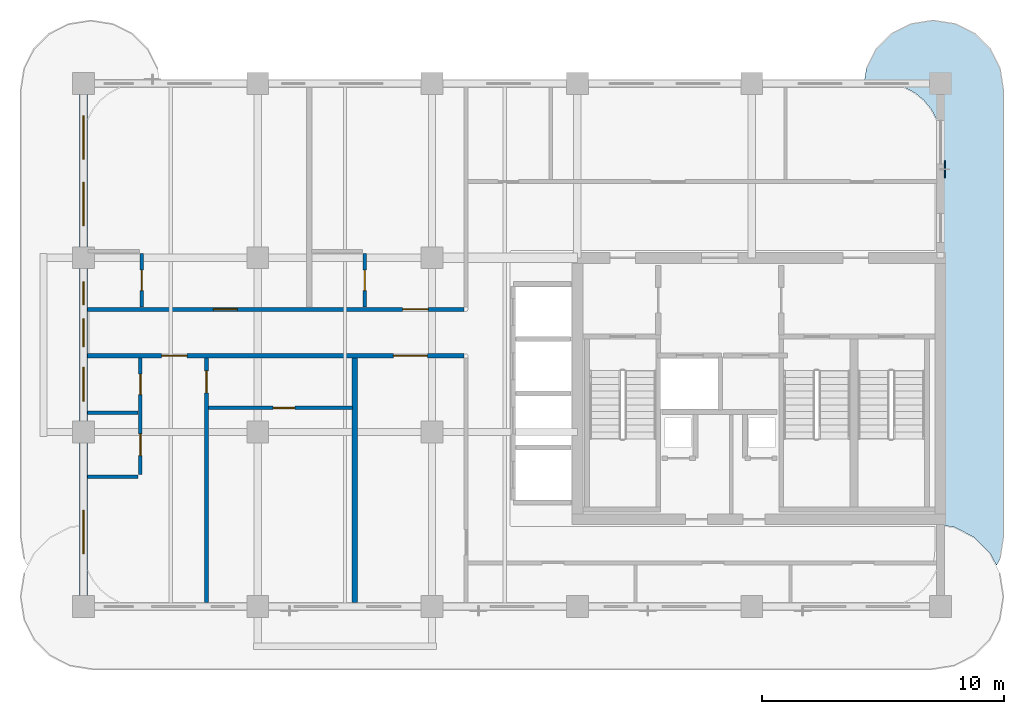
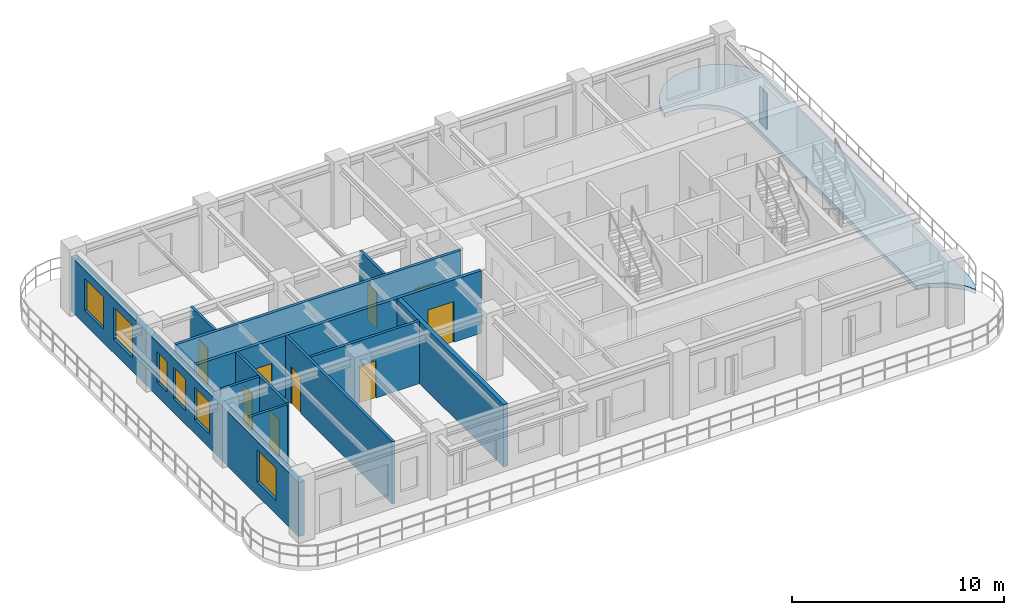
# One storey, part 2 of 7: 11 walls, 10 doors, 6 windows, 1 plate, 1 slab, 16 openings.
"""IFC4 building model written with IfcOpenShell, lengths in metres."""

from ifc_helpers import new_model, si_unit, derived_unit, direction, frame, frame_2d, origin, origin_2d, place, context, subcontext, project, spatial, polyline, rectangle, outline, extrude, source, transform, mapped, material, layer, layer_set, type_object, type_shapes, element, fill, save


model = new_model("IFC4")

# Units and contexts
model_context = context("Model", 3, precision=1e-05, world=origin(), true_north=direction((0.0, 1.0)))
body_context = subcontext(model_context, "Body", "Model", "MODEL_VIEW")
ifc_project = project(units=[si_unit("LENGTHUNIT", "METRE"), si_unit("AREAUNIT", "SQUARE_METRE"), si_unit("VOLUMEUNIT", "CUBIC_METRE"), si_unit("PLANEANGLEUNIT", "RADIAN"), si_unit("MASSUNIT", "GRAM", prefix="KILO"), si_unit("THERMODYNAMICTEMPERATUREUNIT", "KELVIN"), si_unit("POWERUNIT", "WATT"), derived_unit("THERMALTRANSMITTANCEUNIT", [(si_unit("POWERUNIT", "WATT"), 1), (si_unit("AREAUNIT", "SQUARE_METRE"), -1), (si_unit("THERMODYNAMICTEMPERATUREUNIT", "KELVIN"), -1)])], contexts=[model_context])

# Site, building, storey
site_placement = place(None, origin())
site = spatial("IfcSite", under=ifc_project, at=site_placement, CompositionType="ELEMENT")
building_placement = place(site_placement, origin())
building = spatial("IfcBuilding", under=site, at=building_placement, Name="Zahravan Archway Hotel and Residences", CompositionType="ELEMENT")
storey_placement = place(building_placement, frame((0.0, 0.0, 240.39990234375)))
storey = spatial("IfcBuildingStorey", under=building, at=storey_placement, Name="L60", CompositionType="ELEMENT", Elevation=240.39990234375)

# Slab
ifc_material_1 = material(Name="Concrete C45/55", Category="concrete")
ifc_layer_1 = layer(ifc_material_1, 0.25, Name="Concrete C45/55", Category="concrete")
ifc_layer_set_1 = layer_set([ifc_layer_1], Name="Concrete C45/55")
slab_type = type_object("IfcSlabType", Name="SLB-BALC-250", PredefinedType="FLOOR", material=ifc_layer_set_1)
slab_placement = place(storey_placement, frame((0.0, 0.0, -0.25)))
element("IfcSlab", 1, at=slab_placement, inside=storey, type_object=slab_type, Name="L60 Wing A East Rounded Balcony Band", PredefinedType="FLOOR", context=body_context, shape_type="SweptSolid", body=[
    extrude(outline(polyline([(46.739501953125, 22.230712890625), (47.144287109375, 23.025146484375), (47.77490234375, 23.65576171875), (48.5693359375, 24.060546875), (49.449951171875, 24.199951171875), (49.550048828125, 24.199951171875), (50.4306640625, 24.060546875), (51.22509765625, 23.65576171875), (51.855712890625, 23.025146484375), (52.260498046875, 22.230712890625), (52.39990234375, 21.35009765625), (52.39990234375, 2.85009765625), (52.260498046875, 1.96923828125), (52.114501953125, 1.6826171875), (51.8544921875, 2.193115234375), (51.853515625, 2.19482421875), (51.85205078125, 2.196533203125), (51.8505859375, 2.197998046875), (51.197998046875, 2.8505859375), (51.196533203125, 2.85205078125), (51.19482421875, 2.853515625), (51.193115234375, 2.8544921875), (50.37060546875, 3.2734375), (50.368896484375, 3.2744140625), (50.36669921875, 3.27490234375), (50.36474609375, 3.275390625), (49.822998046875, 3.361083984375), (49.8212890625, 3.361328125), (49.820068359375, 3.361328125), (49.820068359375, 19.199951171875), (49.81982421875, 19.201904296875), (49.773681640625, 19.670166015625), (49.7734375, 19.672119140625), (49.77294921875, 19.674072265625), (49.636474609375, 20.124267578125), (49.6357421875, 20.126220703125), (49.635009765625, 20.127685546875), (49.4130859375, 20.542724609375), (49.412109375, 20.54443359375), (49.410888671875, 20.546142578125), (49.112548828125, 20.909912109375), (49.111083984375, 20.9111328125), (49.10986328125, 20.91259765625), (48.74609375, 21.2109375), (48.744384765625, 21.212158203125), (48.742919921875, 21.213134765625), (48.327880859375, 21.434814453125), (48.326171875, 21.435791015625), (48.32421875, 21.436279296875), (47.8740234375, 21.572998046875), (47.8720703125, 21.573486328125), (47.8701171875, 21.57373046875), (47.402099609375, 21.619873046875), (47.39990234375, 21.6201171875), (46.642822265625, 21.6201171875), (46.739501953125, 22.230712890625)])), origin(), (0.0, 0.0, 1.0), 0.25),
])

# Plate
ifc_material_2 = material(Name="Perforated Cast Bronze Jali Lattice")
ifc_layer_2 = layer(ifc_material_2, 0.044921875, Name="Perforated Cast Bronze Jali Lattice")
ifc_layer_set_2 = layer_set([ifc_layer_2], Name="Perforated Cast Bronze Jali Lattice")
plate_type = type_object("IfcPlateType", Name="PLT-JALI-BAY", PredefinedType="USERDEFINED", material=ifc_layer_set_2)
shared_shape_1 = source(origin(), body_context, "Body", "SweptSolid", [
    extrude(rectangle(XDim=0.699951171875, YDim=0.044921875, at=origin_2d()), origin(), (0.0, 0.0, 1.0), 2.10009765625),
])
type_shapes(plate_type, [shared_shape_1])
plate_placement = place(storey_placement, frame((49.97802734375, 18.05908203125, 0.25), z_axis=(0.0, 0.0, 1.0), x_axis=(0.0, 1.0, 0.0)))
element("IfcPlate", 2, at=plate_placement, inside=storey, type_object=plate_type, Name="L60 Perforated Bronze Jali Pier Screen 05", ObjectType="SCREEN", PredefinedType="USERDEFINED", context=body_context, shape_type="MappedRepresentation", body=[
    mapped(shared_shape_1, transform((0.0, 0.0, 0.0), scale=1.0)),
])

# Wall, openings, windows
ifc_material_3 = material(Name="Agra Buff Sandstone & Insulated Backup", Category="masonry")
ifc_layer_3 = layer(ifc_material_3, 0.320068359375, Name="Agra Buff Sandstone & Insulated Backup", Category="masonry")
ifc_layer_set_3 = layer_set([ifc_layer_3], Name="Agra Buff Sandstone & Insulated Backup")
wall_type_1 = type_object("IfcWallType", Name="EW-SAND-320", PredefinedType="SOLIDWALL", material=ifc_layer_set_3)
wall_1_placement = place(storey_placement, frame((14.39990234375, 0.050048828125, 0.0), z_axis=(0.0, 0.0, 1.0), x_axis=(0.0, 1.0, 0.0)))
wall_1 = element("IfcWall", 3, at=wall_1_placement, inside=storey, type_object=wall_type_1, Name="L60 Exterior Sandstone Wall WA-W", PredefinedType="SOLIDWALL", context=body_context, shape_type="SweptSolid", body=[
    extrude(rectangle(XDim=21.5, YDim=0.320068359375, at=frame_2d((10.75, 0.0))), origin(), (0.0, 0.0, 1.0), 3.135009765625),
])
opening_1_placement = place(wall_1_placement, frame((2.12109375, 0.0, 0.800048828125)))
opening_1 = element("IfcOpeningElement", 4, at=opening_1_placement, cuts=wall_1, Name="Opening W-02", PredefinedType="OPENING", context=body_context, shape_type="SweptSolid", body=[
    extrude(rectangle(XDim=1.800048828125, YDim=1.85009765625, at=frame_2d((0.89990234375, 0.925048828125))), frame((0.0, 0.169921875, 0.0), z_axis=(0.0, -1.0, 0.0), x_axis=(1.0, 0.0, 0.0)), (0.0, 0.0, 1.0), 0.340087890625),
])
opening_2_placement = place(wall_1_placement, frame((8.425048828125, 0.0, 0.800048828125)))
opening_2 = element("IfcOpeningElement", 5, at=opening_2_placement, cuts=wall_1, Name="Opening W-03", PredefinedType="OPENING", context=body_context, shape_type="SweptSolid", body=[
    extrude(rectangle(XDim=1.39990234375, YDim=1.85009765625, at=frame_2d((0.699951171875, 0.925048828125))), frame((0.0, 0.169921875, 0.0), z_axis=(0.0, -1.0, 0.0), x_axis=(1.0, 0.0, 0.0)), (0.0, 0.0, 1.0), 0.340087890625),
])
opening_3_placement = place(wall_1_placement, frame((10.68505859375, 0.0, 0.800048828125)))
opening_3 = element("IfcOpeningElement", 6, at=opening_3_placement, cuts=wall_1, Name="Opening W-05", PredefinedType="OPENING", context=body_context, shape_type="SweptSolid", body=[
    extrude(rectangle(XDim=1.14990234375, YDim=1.800048828125, at=frame_2d((0.574951171875, 0.89990234375))), frame((0.0, 0.169921875, 0.0), z_axis=(0.0, -1.0, 0.0), x_axis=(1.0, 0.0, 0.0)), (0.0, 0.0, 1.0), 0.340087890625),
])
opening_4_placement = place(wall_1_placement, frame((12.4140625, 0.0, 0.800048828125)))
opening_4 = element("IfcOpeningElement", 7, at=opening_4_placement, cuts=wall_1, Name="Opening W-04", PredefinedType="OPENING", context=body_context, shape_type="SweptSolid", body=[
    extrude(rectangle(XDim=0.949951171875, YDim=1.75, at=frame_2d((0.47509765625, 0.875))), frame((0.0, 0.169921875, 0.0), z_axis=(0.0, -1.0, 0.0), x_axis=(1.0, 0.0, 0.0)), (0.0, 0.0, 1.0), 0.340087890625),
])
opening_5_placement = place(wall_1_placement, frame((15.675048828125, 0.0, 0.800048828125)))
opening_5 = element("IfcOpeningElement", 8, at=opening_5_placement, cuts=wall_1, Name="Opening W-02", PredefinedType="OPENING", context=body_context, shape_type="SweptSolid", body=[
    extrude(rectangle(XDim=1.800048828125, YDim=1.85009765625, at=frame_2d((0.89990234375, 0.925048828125))), frame((0.0, 0.169921875, 0.0), z_axis=(0.0, -1.0, 0.0), x_axis=(1.0, 0.0, 0.0)), (0.0, 0.0, 1.0), 0.340087890625),
])
opening_6_placement = place(wall_1_placement, frame((18.425048828125, 0.0, 0.800048828125)))
opening_6 = element("IfcOpeningElement", 9, at=opening_6_placement, cuts=wall_1, Name="Opening W-02", PredefinedType="OPENING", context=body_context, shape_type="SweptSolid", body=[
    extrude(rectangle(XDim=1.800048828125, YDim=1.85009765625, at=frame_2d((0.89990234375, 0.925048828125))), frame((0.0, 0.169921875, 0.0), z_axis=(0.0, -1.0, 0.0), x_axis=(1.0, 0.0, 0.0)), (0.0, 0.0, 1.0), 0.340087890625),
])
ifc_material_4 = material(Name="Bronze-Anodized Thermal-Break Aluminium & Low-E Glass", Category="aluminium")
window_type_1 = type_object("IfcWindowType", Name="WIN-TWR-1400", PartitioningType="SINGLE_PANEL", PredefinedType="WINDOW", material=ifc_material_4)
shared_shape_2 = source(origin(), body_context, "Body", "SweptSolid", [
    extrude(rectangle(XDim=1.39990234375, YDim=1.85009765625, at=frame_2d((0.699951171875, 0.925048828125))), frame((0.0, 0.030029296875, 0.0), z_axis=(0.0, -1.0, 0.0), x_axis=(1.0, 0.0, 0.0)), (0.0, 0.0, 1.0), 0.06005859375),
])
type_shapes(window_type_1, [shared_shape_2])
window_1_placement = place(opening_2_placement, origin())
window_1 = element("IfcWindow", 10, at=window_1_placement, inside=storey, type_object=window_type_1, Name="L60 Loggia Window 20", OverallHeight=1.85009765625, OverallWidth=1.39990234375, PartitioningType="SINGLE_PANEL", PredefinedType="WINDOW", context=body_context, shape_type="MappedRepresentation", body=[
    mapped(shared_shape_2, transform((0.0, 0.0, 0.0), scale=1.0)),
])
fill(opening_2, window_1)
window_type_2 = type_object("IfcWindowType", Name="WIN-NAR-950", PartitioningType="SINGLE_PANEL", PredefinedType="WINDOW", material=ifc_material_4)
shared_shape_3 = source(origin(), body_context, "Body", "SweptSolid", [
    extrude(rectangle(XDim=0.949951171875, YDim=1.75, at=frame_2d((0.47509765625, 0.875))), frame((0.0, 0.030029296875, 0.0), z_axis=(0.0, -1.0, 0.0), x_axis=(1.0, 0.0, 0.0)), (0.0, 0.0, 1.0), 0.06005859375),
])
type_shapes(window_type_2, [shared_shape_3])
window_2_placement = place(opening_4_placement, origin())
window_2 = element("IfcWindow", 11, at=window_2_placement, inside=storey, type_object=window_type_2, Name="L60 Loggia Window 22", OverallHeight=1.75, OverallWidth=0.949951171875, PartitioningType="SINGLE_PANEL", PredefinedType="WINDOW", context=body_context, shape_type="MappedRepresentation", body=[
    mapped(shared_shape_3, transform((0.0, 0.0, 0.0), scale=1.0)),
])
fill(opening_4, window_2)
window_type_3 = type_object("IfcWindowType", Name="WIN-TWR-1800", PartitioningType="DOUBLE_PANEL_VERTICAL", PredefinedType="WINDOW", material=ifc_material_4)
shared_shape_4 = source(origin(), body_context, "Body", "SweptSolid", [
    extrude(rectangle(XDim=1.800048828125, YDim=1.85009765625, at=frame_2d((0.89990234375, 0.925048828125))), frame((0.0, 0.030029296875, 0.0), z_axis=(0.0, -1.0, 0.0), x_axis=(1.0, 0.0, 0.0)), (0.0, 0.0, 1.0), 0.06005859375),
])
type_shapes(window_type_3, [shared_shape_4])
window_3_placement = place(opening_1_placement, origin())
window_3 = element("IfcWindow", 12, at=window_3_placement, inside=storey, type_object=window_type_3, Name="L60 Loggia Window 19", OverallHeight=1.85009765625, OverallWidth=1.800048828125, PartitioningType="DOUBLE_PANEL_VERTICAL", PredefinedType="WINDOW", context=body_context, shape_type="MappedRepresentation", body=[
    mapped(shared_shape_4, transform((0.0, 0.0, 0.0), scale=1.0)),
])
fill(opening_1, window_3)
window_4_placement = place(opening_5_placement, origin())
window_4 = element("IfcWindow", 13, at=window_4_placement, inside=storey, type_object=window_type_3, Name="L60 Loggia Window 23", OverallHeight=1.85009765625, OverallWidth=1.800048828125, PartitioningType="DOUBLE_PANEL_VERTICAL", PredefinedType="WINDOW", context=body_context, shape_type="MappedRepresentation", body=[
    mapped(shared_shape_4, transform((0.0, 0.0, 0.0), scale=1.0)),
])
fill(opening_5, window_4)
window_5_placement = place(opening_6_placement, origin())
window_5 = element("IfcWindow", 14, at=window_5_placement, inside=storey, type_object=window_type_3, Name="L60 Loggia Window 24", OverallHeight=1.85009765625, OverallWidth=1.800048828125, PartitioningType="DOUBLE_PANEL_VERTICAL", PredefinedType="WINDOW", context=body_context, shape_type="MappedRepresentation", body=[
    mapped(shared_shape_4, transform((0.0, 0.0, 0.0), scale=1.0)),
])
fill(opening_6, window_5)
window_type_4 = type_object("IfcWindowType", Name="WIN-TWR-1150", PartitioningType="SINGLE_PANEL", PredefinedType="WINDOW", material=ifc_material_4)
shared_shape_5 = source(origin(), body_context, "Body", "SweptSolid", [
    extrude(rectangle(XDim=1.14990234375, YDim=1.800048828125, at=frame_2d((0.574951171875, 0.89990234375))), frame((0.0, 0.030029296875, 0.0), z_axis=(0.0, -1.0, 0.0), x_axis=(1.0, 0.0, 0.0)), (0.0, 0.0, 1.0), 0.06005859375),
])
type_shapes(window_type_4, [shared_shape_5])
window_6_placement = place(opening_3_placement, origin())
window_6 = element("IfcWindow", 15, at=window_6_placement, inside=storey, type_object=window_type_4, Name="L60 Loggia Window 21", OverallHeight=1.800048828125, OverallWidth=1.14990234375, PartitioningType="SINGLE_PANEL", PredefinedType="WINDOW", context=body_context, shape_type="MappedRepresentation", body=[
    mapped(shared_shape_5, transform((0.0, 0.0, 0.0), scale=1.0)),
])
fill(opening_3, window_6)

# Wall
ifc_material_5 = material(Name="Fire-Rated Gypsum & Concrete Block", Category="concrete")
ifc_layer_4 = layer(ifc_material_5, 0.219970703125, Name="Fire-Rated Gypsum & Concrete Block", Category="concrete")
ifc_layer_set_4 = layer_set([ifc_layer_4], Name="Fire-Rated Gypsum & Concrete Block")
wall_type_2 = type_object("IfcWallType", Name="PW-COMP-220", PredefinedType="PARTITIONING", material=ifc_layer_set_4)
wall_2_placement = place(storey_placement, frame((25.60009765625, 0.16796875, 0.0), z_axis=(0.0, 0.0, 1.0), x_axis=(0.0, 1.0, 0.0)))
element("IfcWall", 16, at=wall_2_placement, inside=storey, type_object=wall_type_2, Name="L60 Partition WAS-R3", PredefinedType="PARTITIONING", context=body_context, shape_type="SweptSolid", body=[
    extrude(rectangle(XDim=10.092041015625, YDim=0.219970703125, at=frame_2d((5.0458984375, 0.0))), origin(), (0.0, 0.0, 1.0), 3.60009765625),
])

# Wall, openings, doors
ifc_layer_5 = layer(ifc_material_5, 0.159912109375, Name="Fire-Rated Gypsum & Concrete Block", Category="concrete")
ifc_layer_set_5 = layer_set([ifc_layer_5], Name="Fire-Rated Gypsum & Concrete Block")
wall_type_3 = type_object("IfcWallType", Name="PW-CORR-160", PredefinedType="PARTITIONING", material=ifc_layer_set_5)
wall_3_placement = place(storey_placement, frame((14.568115234375, 12.27001953125, 0.0), z_axis=(0.0, 0.0, 1.0), x_axis=(1.0, 0.0, 0.0)))
wall_3 = element("IfcWall", 17, at=wall_3_placement, inside=storey, type_object=wall_type_3, Name="L60 Partition WA-CN", PredefinedType="PARTITIONING", context=body_context, shape_type="SweptSolid", body=[
    extrude(rectangle(XDim=15.5419921875, YDim=0.159912109375, at=frame_2d((7.77099609375, 0.0))), origin(), (0.0, 0.0, 1.0), 3.60009765625),
])
opening_7_placement = place(wall_3_placement, frame((5.19189453125, 0.0, 0.0)))
opening_7 = element("IfcOpeningElement", 18, at=opening_7_placement, cuts=wall_3, Name="Opening D-U2", PredefinedType="OPENING", context=body_context, shape_type="SweptSolid", body=[
    extrude(rectangle(XDim=1.0, YDim=2.199951171875, at=frame_2d((0.5, 1.10009765625))), frame((0.0, 0.08984375, 0.0), z_axis=(0.0, -1.0, 0.0), x_axis=(1.0, 0.0, 0.0)), (0.0, 0.0, 1.0), 0.179931640625),
])
opening_8_placement = place(wall_3_placement, frame((13.01708984375, 0.0, 0.0)))
opening_8 = element("IfcOpeningElement", 19, at=opening_8_placement, cuts=wall_3, Name="Opening D-U1", PredefinedType="OPENING", context=body_context, shape_type="SweptSolid", body=[
    extrude(rectangle(XDim=1.050048828125, YDim=2.25, at=frame_2d((0.52490234375, 1.125))), frame((0.0, 0.08984375, 0.0), z_axis=(0.0, -1.0, 0.0), x_axis=(1.0, 0.0, 0.0)), (0.0, 0.0, 1.0), 0.179931640625),
])
ifc_material_6 = material(Name="Hardwood Veneer Timber", Category="wood")
door_type_1 = type_object("IfcDoorType", Name="ID-UNIT-1050", OperationType="NOTDEFINED", PredefinedType="DOOR", material=ifc_material_6)
shared_shape_6 = source(origin(), body_context, "Body", "SweptSolid", [
    extrude(rectangle(XDim=1.050048828125, YDim=2.25, at=frame_2d((0.52490234375, 1.125))), frame((0.0, 0.02490234375, 0.0), z_axis=(0.0, -1.0, 0.0), x_axis=(1.0, 0.0, 0.0)), (0.0, 0.0, 1.0), 0.050048828125),
])
type_shapes(door_type_1, [shared_shape_6])
door_1_placement = place(opening_8_placement, origin())
door_1 = element("IfcDoor", 20, at=door_1_placement, inside=storey, type_object=door_type_1, Name="L60 Hotel Guestroom 86 Entrance Door", OperationType="SINGLE_SWING_LEFT", OverallHeight=2.25, OverallWidth=1.050048828125, PredefinedType="DOOR", context=body_context, shape_type="MappedRepresentation", body=[
    mapped(shared_shape_6, transform((0.0, 0.0, 0.0), scale=1.0)),
])
fill(opening_8, door_1)
door_type_2 = type_object("IfcDoorType", Name="ID-UNIT-1000", OperationType="NOTDEFINED", PredefinedType="DOOR", material=ifc_material_6)
shared_shape_7 = source(origin(), body_context, "Body", "SweptSolid", [
    extrude(rectangle(XDim=1.0, YDim=2.199951171875, at=frame_2d((0.5, 1.10009765625))), frame((0.0, 0.02490234375, 0.0), z_axis=(0.0, -1.0, 0.0), x_axis=(1.0, 0.0, 0.0)), (0.0, 0.0, 1.0), 0.050048828125),
])
type_shapes(door_type_2, [shared_shape_7])
door_2_placement = place(opening_7_placement, origin())
door_2 = element("IfcDoor", 21, at=door_2_placement, inside=storey, type_object=door_type_2, Name="L60 Hotel Guestroom 85 Entrance Door", OperationType="SINGLE_SWING_RIGHT", OverallHeight=2.199951171875, OverallWidth=1.0, PredefinedType="DOOR", context=body_context, shape_type="MappedRepresentation", body=[
    mapped(shared_shape_7, transform((0.0, 0.0, 0.0), scale=1.0)),
])
fill(opening_7, door_2)

ifc_layer_6 = layer(ifc_material_5, 0.179931640625, Name="Fire-Rated Gypsum & Concrete Block", Category="concrete")
ifc_layer_set_6 = layer_set([ifc_layer_6], Name="Fire-Rated Gypsum & Concrete Block")
wall_type_4 = type_object("IfcWallType", Name="PW-CORR-180", PredefinedType="PARTITIONING", material=ifc_layer_set_6)
wall_4_placement = place(storey_placement, frame((14.568115234375, 10.35009765625, 0.0), z_axis=(0.0, 0.0, 1.0), x_axis=(1.0, 0.0, 0.0)))
wall_4 = element("IfcWall", 22, at=wall_4_placement, inside=storey, type_object=wall_type_4, Name="L60 Partition WA-CS", PredefinedType="PARTITIONING", context=body_context, shape_type="SweptSolid", body=[
    extrude(rectangle(XDim=15.5419921875, YDim=0.179931640625, at=frame_2d((7.77099609375, 0.0))), origin(), (0.0, 0.0, 1.0), 3.60009765625),
])
opening_9_placement = place(wall_4_placement, frame((3.06201171875, 0.0, 0.0)))
opening_9 = element("IfcOpeningElement", 23, at=opening_9_placement, cuts=wall_4, Name="Opening D-U1", PredefinedType="OPENING", context=body_context, shape_type="SweptSolid", body=[
    extrude(rectangle(XDim=1.050048828125, YDim=2.25, at=frame_2d((0.52490234375, 1.125))), frame((0.0, 0.10009765625, 0.0), z_axis=(0.0, -1.0, 0.0), x_axis=(1.0, 0.0, 0.0)), (0.0, 0.0, 1.0), 0.199951171875),
])
opening_10_placement = place(wall_4_placement, frame((12.632080078125, 0.0, 0.0)))
opening_10 = element("IfcOpeningElement", 24, at=opening_10_placement, cuts=wall_4, Name="Opening D-P1", PredefinedType="OPENING", context=body_context, shape_type="SweptSolid", body=[
    extrude(rectangle(XDim=1.39990234375, YDim=2.35009765625, at=frame_2d((0.699951171875, 1.175048828125))), frame((0.0, 0.10009765625, 0.0), z_axis=(0.0, -1.0, 0.0), x_axis=(1.0, 0.0, 0.0)), (0.0, 0.0, 1.0), 0.199951171875),
])
ifc_material_7 = material(Name="Bronze-Anodized Glazed Aluminium", Category="aluminium")
door_type_3 = type_object("IfcDoorType", Name="ID-PUBLIC-1400", OperationType="DOUBLE_DOOR_SINGLE_SWING", PredefinedType="DOOR", material=ifc_material_7)
shared_shape_8 = source(origin(), body_context, "Body", "SweptSolid", [
    extrude(rectangle(XDim=1.39990234375, YDim=2.35009765625, at=frame_2d((0.699951171875, 1.175048828125))), frame((0.0, 0.02490234375, 0.0), z_axis=(0.0, -1.0, 0.0), x_axis=(1.0, 0.0, 0.0)), (0.0, 0.0, 1.0), 0.050048828125),
])
type_shapes(door_type_3, [shared_shape_8])
door_3_placement = place(opening_10_placement, origin())
door_3 = element("IfcDoor", 25, at=door_3_placement, inside=storey, type_object=door_type_3, Name="L60 South Yoga Salon Door", OperationType="DOUBLE_DOOR_SINGLE_SWING", OverallHeight=2.35009765625, OverallWidth=1.39990234375, PredefinedType="DOOR", context=body_context, shape_type="MappedRepresentation", body=[
    mapped(shared_shape_8, transform((0.0, 0.0, 0.0), scale=1.0)),
])
fill(opening_10, door_3)
door_4_placement = place(opening_9_placement, origin())
door_4 = element("IfcDoor", 26, at=door_4_placement, inside=storey, type_object=door_type_1, Name="L60 Flat S1 Entrance Door", OperationType="SINGLE_SWING_RIGHT", OverallHeight=2.25, OverallWidth=1.050048828125, PredefinedType="DOOR", context=body_context, shape_type="MappedRepresentation", body=[
    mapped(shared_shape_6, transform((0.0, 0.0, 0.0), scale=1.0)),
])
fill(opening_9, door_4)

# Wall, opening, door
ifc_material_8 = material(Name="Acoustic Stud Partition")
ifc_layer_7 = layer(ifc_material_8, 0.14990234375, Name="Acoustic Stud Partition")
ifc_layer_set_7 = layer_set([ifc_layer_7], Name="Acoustic Stud Partition")
wall_type_5 = type_object("IfcWallType", Name="PW-UNIT-150", PredefinedType="PARTITIONING", material=ifc_layer_set_7)
wall_5_placement = place(storey_placement, frame((19.47998046875, 0.16796875, 0.0), z_axis=(0.0, 0.0, 1.0), x_axis=(0.0, 1.0, 0.0)))
wall_5 = element("IfcWall", 27, at=wall_5_placement, inside=storey, type_object=wall_type_5, Name="L60 Partition FL-S1-SP", PredefinedType="PARTITIONING", context=body_context, shape_type="SweptSolid", body=[
    extrude(rectangle(XDim=10.092041015625, YDim=0.14990234375, at=frame_2d((5.0458984375, 0.0))), origin(), (0.0, 0.0, 1.0), 3.60009765625),
])
opening_11_placement = place(wall_5_placement, frame((8.656982421875, 0.0, 0.0)))
opening_11 = element("IfcOpeningElement", 28, at=opening_11_placement, cuts=wall_5, Name="Opening D-I2", PredefinedType="OPENING", context=body_context, shape_type="SweptSolid", body=[
    extrude(rectangle(XDim=0.89990234375, YDim=2.14990234375, at=frame_2d((0.449951171875, 1.074951171875))), frame((0.0, 0.0849609375, 0.0), z_axis=(0.0, -1.0, 0.0), x_axis=(1.0, 0.0, 0.0)), (0.0, 0.0, 1.0), 0.169921875),
])
door_type_4 = type_object("IfcDoorType", Name="ID-INT-900", OperationType="NOTDEFINED", PredefinedType="DOOR", material=ifc_material_6)
shared_shape_9 = source(origin(), body_context, "Body", "SweptSolid", [
    extrude(rectangle(XDim=0.89990234375, YDim=2.14990234375, at=frame_2d((0.449951171875, 1.074951171875))), frame((0.0, 0.02490234375, 0.0), z_axis=(0.0, -1.0, 0.0), x_axis=(1.0, 0.0, 0.0)), (0.0, 0.0, 1.0), 0.050048828125),
])
type_shapes(door_type_4, [shared_shape_9])
door_5_placement = place(opening_11_placement, origin())
door_5 = element("IfcDoor", 29, at=door_5_placement, inside=storey, type_object=door_type_4, Name="L60 Flat S1 Bedroom Hall Door", OperationType="SINGLE_SWING_LEFT", OverallHeight=2.14990234375, OverallWidth=0.89990234375, PredefinedType="DOOR", context=body_context, shape_type="MappedRepresentation", body=[
    mapped(shared_shape_9, transform((0.0, 0.0, 0.0), scale=1.0)),
])
fill(opening_11, door_5)

wall_6_placement = place(storey_placement, frame((19.570068359375, 8.199951171875, 0.0), z_axis=(0.0, 0.0, 1.0), x_axis=(1.0, 0.0, 0.0)))
wall_6 = element("IfcWall", 30, at=wall_6_placement, inside=storey, type_object=wall_type_5, Name="L60 Partition FL-S1-GH", PredefinedType="PARTITIONING", context=body_context, shape_type="SweptSolid", body=[
    extrude(rectangle(XDim=5.93994140625, YDim=0.14990234375, at=frame_2d((2.969970703125, 0.0))), origin(), (0.0, 0.0, 1.0), 3.60009765625),
])
opening_12_placement = place(wall_6_placement, frame((2.65869140625, 0.0, 0.0)))
opening_12 = element("IfcOpeningElement", 31, at=opening_12_placement, cuts=wall_6, Name="Opening D-I2", PredefinedType="OPENING", context=body_context, shape_type="SweptSolid", body=[
    extrude(rectangle(XDim=0.89990234375, YDim=2.14990234375, at=frame_2d((0.449951171875, 1.074951171875))), frame((0.0, 0.0849609375, 0.0), z_axis=(0.0, -1.0, 0.0), x_axis=(1.0, 0.0, 0.0)), (0.0, 0.0, 1.0), 0.169921875),
])
door_6_placement = place(opening_12_placement, origin())
door_6 = element("IfcDoor", 32, at=door_6_placement, inside=storey, type_object=door_type_4, Name="L60 Flat S1 Bedroom 1 Door", OperationType="SINGLE_SWING_RIGHT", OverallHeight=2.14990234375, OverallWidth=0.89990234375, PredefinedType="DOOR", context=body_context, shape_type="MappedRepresentation", body=[
    mapped(shared_shape_9, transform((0.0, 0.0, 0.0), scale=1.0)),
])
fill(opening_12, door_6)

# Wall, openings, doors
ifc_material_9 = material(Name="Moisture-Resistant Blockwork", Category="masonry")
ifc_layer_8 = layer(ifc_material_9, 0.139892578125, Name="Moisture-Resistant Blockwork", Category="masonry")
ifc_layer_set_8 = layer_set([ifc_layer_8], Name="Moisture-Resistant Blockwork")
wall_type_6 = type_object("IfcWallType", Name="PW-WET-140", PredefinedType="PARTITIONING", material=ifc_layer_set_8)
wall_7_placement = place(storey_placement, frame((16.75, 5.43994140625, 0.0), z_axis=(0.0, 0.0, 1.0), x_axis=(0.0, 1.0, 0.0)))
wall_7 = element("IfcWall", 33, at=wall_7_placement, inside=storey, type_object=wall_type_6, Name="L60 Partition FL-S1-BV", PredefinedType="PARTITIONING", context=body_context, shape_type="SweptSolid", body=[
    extrude(rectangle(XDim=4.820068359375, YDim=0.139892578125, at=frame_2d((2.41015625, 0.0))), origin(), (0.0, 0.0, 1.0), 3.60009765625),
])
opening_13_placement = place(wall_7_placement, frame((0.784912109375, 0.0, 0.0)))
opening_13 = element("IfcOpeningElement", 34, at=opening_13_placement, cuts=wall_7, Name="Opening D-I2", PredefinedType="OPENING", context=body_context, shape_type="SweptSolid", body=[
    extrude(rectangle(XDim=0.89990234375, YDim=2.14990234375, at=frame_2d((0.449951171875, 1.074951171875))), frame((0.0, 0.080078125, 0.0), z_axis=(0.0, -1.0, 0.0), x_axis=(1.0, 0.0, 0.0)), (0.0, 0.0, 1.0), 0.159912109375),
])
opening_14_placement = place(wall_7_placement, frame((3.31005859375, 0.0, 0.0)))
opening_14 = element("IfcOpeningElement", 35, at=opening_14_placement, cuts=wall_7, Name="Opening D-B1", PredefinedType="OPENING", context=body_context, shape_type="SweptSolid", body=[
    extrude(rectangle(XDim=0.85009765625, YDim=2.10009765625, at=frame_2d((0.425048828125, 1.050048828125))), frame((0.0, 0.080078125, 0.0), z_axis=(0.0, -1.0, 0.0), x_axis=(1.0, 0.0, 0.0)), (0.0, 0.0, 1.0), 0.159912109375),
])
door_type_5 = type_object("IfcDoorType", Name="ID-BATH-850", OperationType="NOTDEFINED", PredefinedType="DOOR", material=ifc_material_6)
shared_shape_10 = source(origin(), body_context, "Body", "SweptSolid", [
    extrude(rectangle(XDim=0.85009765625, YDim=2.10009765625, at=frame_2d((0.425048828125, 1.050048828125))), frame((0.0, 0.02490234375, 0.0), z_axis=(0.0, -1.0, 0.0), x_axis=(1.0, 0.0, 0.0)), (0.0, 0.0, 1.0), 0.050048828125),
])
type_shapes(door_type_5, [shared_shape_10])
door_7_placement = place(opening_14_placement, origin())
door_7 = element("IfcDoor", 36, at=door_7_placement, inside=storey, type_object=door_type_5, Name="L60 Flat S1 Bathroom Door", OperationType="SINGLE_SWING_LEFT", OverallHeight=2.10009765625, OverallWidth=0.85009765625, PredefinedType="DOOR", context=body_context, shape_type="MappedRepresentation", body=[
    mapped(shared_shape_10, transform((0.0, 0.0, 0.0), scale=1.0)),
])
fill(opening_14, door_7)
door_8_placement = place(opening_13_placement, origin())
door_8 = element("IfcDoor", 37, at=door_8_placement, inside=storey, type_object=door_type_4, Name="L60 Flat S1 Kitchen Door", OperationType="SINGLE_SWING_RIGHT", OverallHeight=2.14990234375, OverallWidth=0.89990234375, PredefinedType="DOOR", context=body_context, shape_type="MappedRepresentation", body=[
    mapped(shared_shape_9, transform((0.0, 0.0, 0.0), scale=1.0)),
])
fill(opening_13, door_8)

# Walls
for number, where, z_axis, x_axis, name in (
    (38, (14.568115234375, 8.0, 0.0), (0.0, 0.0, 1.0), (1.0, 0.0, 0.0), "L60 Partition FL-S1-BM"),
    (39, (14.568115234375, 5.35009765625, 0.0), (0.0, 0.0, 1.0), (1.0, 0.0, 0.0), "L60 Partition FL-S1-KH"),
):
    element("IfcWall", number, at=place(storey_placement, frame(where, z_axis=z_axis, x_axis=x_axis)), inside=storey, type_object=wall_type_6, Name=name, PredefinedType="PARTITIONING", context=body_context, shape_type="SweptSolid", body=[
        extrude(rectangle(XDim=2.091796875, YDim=0.139892578125, at=frame_2d((1.0458984375, 0.0))), origin(), (0.0, 0.0, 1.0), 3.60009765625),
    ])

# Wall, opening, door
wall_8_placement = place(storey_placement, frame((16.800048828125, 12.360107421875, 0.0), z_axis=(0.0, 0.0, 1.0), x_axis=(0.0, 1.0, 0.0)))
wall_8 = element("IfcWall", 40, at=wall_8_placement, inside=storey, type_object=wall_type_6, Name="L60 Partition HKB-V85", PredefinedType="PARTITIONING", context=body_context, shape_type="SweptSolid", body=[
    extrude(rectangle(XDim=2.219970703125, YDim=0.139892578125, at=frame_2d((1.10986328125, 0.0))), origin(), (0.0, 0.0, 1.0), 3.60009765625),
])
opening_15_placement = place(wall_8_placement, frame((0.68505859375, 0.0, 0.0)))
opening_15 = element("IfcOpeningElement", 41, at=opening_15_placement, cuts=wall_8, Name="Opening D-B1", PredefinedType="OPENING", context=body_context, shape_type="SweptSolid", body=[
    extrude(rectangle(XDim=0.85009765625, YDim=2.10009765625, at=frame_2d((0.425048828125, 1.050048828125))), frame((0.0, 0.080078125, 0.0), z_axis=(0.0, -1.0, 0.0), x_axis=(1.0, 0.0, 0.0)), (0.0, 0.0, 1.0), 0.159912109375),
])
door_9_placement = place(opening_15_placement, origin())
door_9 = element("IfcDoor", 42, at=door_9_placement, inside=storey, type_object=door_type_5, Name="L60 Guestroom 85 En-Suite Door", OperationType="SINGLE_SWING_LEFT", OverallHeight=2.10009765625, OverallWidth=0.85009765625, PredefinedType="DOOR", context=body_context, shape_type="MappedRepresentation", body=[
    mapped(shared_shape_10, transform((0.0, 0.0, 0.0), scale=1.0)),
])
fill(opening_15, door_9)

wall_9_placement = place(storey_placement, frame((26.02001953125, 12.360107421875, 0.0), z_axis=(0.0, 0.0, 1.0), x_axis=(0.0, 1.0, 0.0)))
wall_9 = element("IfcWall", 43, at=wall_9_placement, inside=storey, type_object=wall_type_6, Name="L60 Partition HKB-V86", PredefinedType="PARTITIONING", context=body_context, shape_type="SweptSolid", body=[
    extrude(rectangle(XDim=2.219970703125, YDim=0.139892578125, at=frame_2d((1.10986328125, 0.0))), origin(), (0.0, 0.0, 1.0), 3.60009765625),
])
opening_16_placement = place(wall_9_placement, frame((0.68505859375, 0.0, 0.0)))
opening_16 = element("IfcOpeningElement", 44, at=opening_16_placement, cuts=wall_9, Name="Opening D-B1", PredefinedType="OPENING", context=body_context, shape_type="SweptSolid", body=[
    extrude(rectangle(XDim=0.85009765625, YDim=2.10009765625, at=frame_2d((0.425048828125, 1.050048828125))), frame((0.0, 0.080078125, 0.0), z_axis=(0.0, -1.0, 0.0), x_axis=(1.0, 0.0, 0.0)), (0.0, 0.0, 1.0), 0.159912109375),
])
door_10_placement = place(opening_16_placement, origin())
door_10 = element("IfcDoor", 45, at=door_10_placement, inside=storey, type_object=door_type_5, Name="L60 Guestroom 86 En-Suite Door", OperationType="SINGLE_SWING_LEFT", OverallHeight=2.10009765625, OverallWidth=0.85009765625, PredefinedType="DOOR", context=body_context, shape_type="MappedRepresentation", body=[
    mapped(shared_shape_10, transform((0.0, 0.0, 0.0), scale=1.0)),
])
fill(opening_16, door_10)

save(model, "model.ifc")
